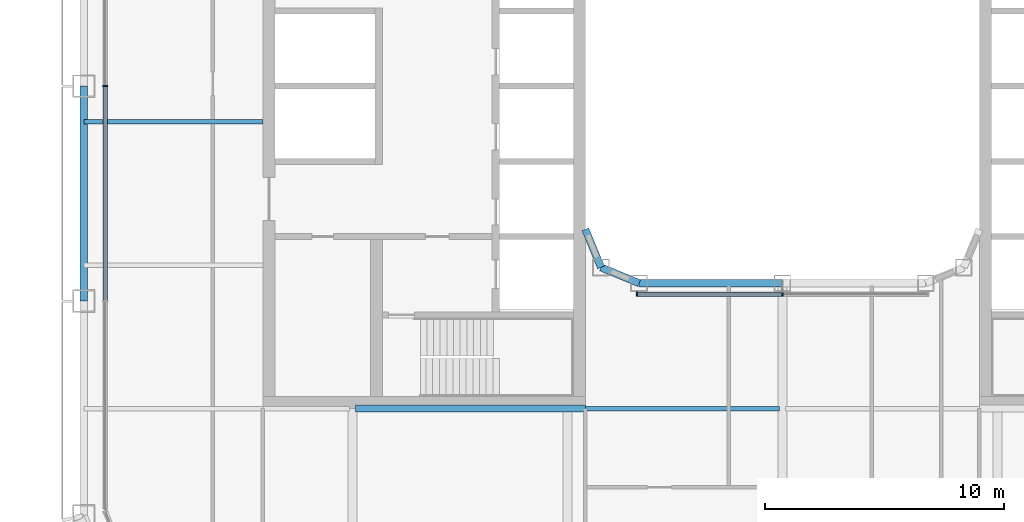
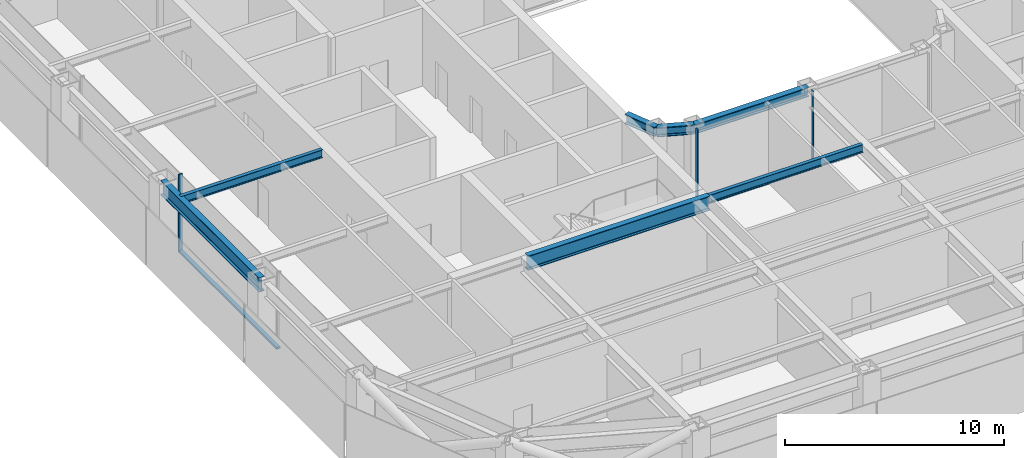
# One storey, part 3 of 23: 7 beams, 5 members, 2 elements without a shape of their own.
"""IFC4 building model written with IfcOpenShell, lengths in metres."""

import ifcopenshell
import ifcopenshell.guid

model = None  # the IFC model being written
_history = None  # IfcOwnerHistory: only IFC2X3 demands one
_inside = {}  # id of a spatial element -> (the spatial element, [elements in it])
_under = {}  # id of a project, library or spatial element -> (it, [spatial elements below it])
_declared = {}  # id of a project -> (the project, [libraries it declares])
_typed = {}  # id of a type object -> (the type object, [elements of that type])
_made_of = {}  # id of a material, layer set ... -> (it, [elements and type objects made of it])


def new_model(schema):
    """Start an empty IFC model of exactly this schema.

    Asked for "IFC4X3", IfcOpenShell would pick the latest addendum, in which some entities
    have other attributes; the version numbers below select the first issue.
    IFC2X3 requires an IfcOwnerHistory on every rooted entity: one is made here for all.
    """
    global model, _history
    if schema == "IFC4X3":
        model = ifcopenshell.file(schema_version=(4, 3, 0, 0))
    else:
        model = ifcopenshell.file(schema=schema)
    _inside.clear()
    _under.clear()
    _declared.clear()
    _typed.clear()
    _made_of.clear()
    _history = None
    if model.schema == "IFC2X3":
        org = make("IfcOrganization", Name="unknown")
        user = make(
            "IfcPersonAndOrganization",
            ThePerson=make("IfcPerson", FamilyName="unknown"),
            TheOrganization=org,
        )
        app = make(
            "IfcApplication",
            ApplicationDeveloper=org,
            Version="unknown",
            ApplicationFullName="unknown",
            ApplicationIdentifier="unknown",
        )
        _history = make(
            "IfcOwnerHistory",
            OwningUser=user,
            OwningApplication=app,
            ChangeAction="ADDED",
            CreationDate=0,
        )
    return model


def make(cls, **values):
    """One entity of the class cls with the attributes given. An attribute that is None is left unset."""
    return model.create_entity(
        cls, **{name: value for name, value in values.items() if value is not None}
    )


def rooted(cls, **values):
    """An entity with a GlobalId (a new one), such as an element, a storey or a relation."""
    return make(cls, GlobalId=ifcopenshell.guid.new(), OwnerHistory=_history, **values)


def si_unit(unit_type, name, prefix=None):
    """IfcSIUnit, for example si_unit("LENGTHUNIT", "METRE", prefix="MILLI")."""
    return make("IfcSIUnit", UnitType=unit_type, Prefix=prefix, Name=name)


def assignment(units):
    """IfcUnitAssignment: the units of a project."""
    return None if units is None else make("IfcUnitAssignment", Units=units)


def point(xyz):
    """IfcCartesianPoint."""
    return None if xyz is None else make("IfcCartesianPoint", Coordinates=xyz)


def direction(xyz):
    """IfcDirection."""
    return None if xyz is None else make("IfcDirection", DirectionRatios=xyz)


def frame(location, z_axis=None, x_axis=None):
    """IfcAxis2Placement3D, a coordinate frame: its origin and axes. An axis left out is left unset."""
    return make(
        "IfcAxis2Placement3D",
        Location=point(location),
        Axis=direction(z_axis),
        RefDirection=direction(x_axis),
    )


def frame_2d(location, x_axis=None):
    """IfcAxis2Placement2D, a coordinate frame in the plane: its origin and x axis."""
    return make(
        "IfcAxis2Placement2D", Location=point(location), RefDirection=direction(x_axis)
    )


def origin():
    """The frame at (0, 0, 0) with its axes left unset."""
    return frame((0.0, 0.0, 0.0))


def origin_2d():
    """The frame at (0, 0) in the plane with its x axis left unset."""
    return frame_2d((0.0, 0.0))


def place(relative_to, where):
    """IfcLocalPlacement: puts the frame where relative to a parent placement (None: the world)."""
    return make(
        "IfcLocalPlacement", PlacementRelTo=relative_to, RelativePlacement=where
    )


def context(
    kind, dimensions, precision=None, world=None, true_north=None, identifier=None
):
    """IfcGeometricRepresentationContext, for example the 3D "Model" context."""
    return make(
        "IfcGeometricRepresentationContext",
        ContextIdentifier=identifier,
        ContextType=kind,
        CoordinateSpaceDimension=dimensions,
        Precision=precision,
        WorldCoordinateSystem=world,
        TrueNorth=true_north,
    )


def subcontext(parent, identifier, kind, view, scale=None):
    """IfcGeometricRepresentationSubContext, for example "Body" below "Model"."""
    return make(
        "IfcGeometricRepresentationSubContext",
        ContextIdentifier=identifier,
        ContextType=kind,
        ParentContext=parent,
        TargetScale=scale,
        TargetView=view,
    )


def project(units=None, contexts=None):
    """IfcProject with its units and contexts."""
    return rooted(
        "IfcProject",
        Name="project",
        RepresentationContexts=contexts,
        UnitsInContext=assignment(units),
    )


def spatial(cls, under=None, at=None, **own):
    """A site, building, storey or space (cls), placed at a placement, below another one or the project."""
    s = rooted(cls, ObjectPlacement=at, **own)
    if under is not None:
        _under.setdefault(under.id(), (under, []))[1].append(s)
    return s


def profile(cls, at=None, kind="AREA", **sizes):
    """A parametric profile (cls). Its sizes go by their IFC names, for example OverallWidth=200.0."""
    return make(cls, ProfileType=kind, Position=at, **sizes)


def rectangle(**sizes):
    """IfcRectangleProfileDef."""
    return profile("IfcRectangleProfileDef", **sizes)


def i_section(**sizes):
    """IfcIShapeProfileDef."""
    return profile("IfcIShapeProfileDef", **sizes)


def extrude(swept, where, along, depth):
    """IfcExtrudedAreaSolid: the profile swept, set in the frame where, extruded along a direction by depth."""
    return make(
        "IfcExtrudedAreaSolid",
        SweptArea=swept,
        Position=where,
        ExtrudedDirection=direction(along),
        Depth=depth,
    )


def shape(context_of_items, identifier, shape_type, items):
    """IfcShapeRepresentation: the items that make up one representation, for example the "Body"."""
    return make(
        "IfcShapeRepresentation",
        ContextOfItems=context_of_items,
        RepresentationIdentifier=identifier,
        RepresentationType=shape_type,
        Items=items,
    )


def material(Name=None, Category=None):
    """IfcMaterial."""
    return make("IfcMaterial", Name=Name, Category=Category)


def layer(
    of_material, thickness, ventilated=None, Name=None, Category=None, Priority=None
):
    """IfcMaterialLayer: one layer of a wall or slab, of a material (None: an air gap)."""
    return make(
        "IfcMaterialLayer",
        Material=of_material,
        LayerThickness=thickness,
        IsVentilated=ventilated,
        Name=Name,
        Category=Category,
        Priority=Priority,
    )


def layer_set(layers, Name=None):
    """IfcMaterialLayerSet."""
    return make("IfcMaterialLayerSet", MaterialLayers=layers, LayerSetName=Name)


def material_profile(
    of_material, cross_section, Name=None, Category=None, Priority=None
):
    """IfcMaterialProfile: a cross section and its material."""
    return make(
        "IfcMaterialProfile",
        Name=Name,
        Material=of_material,
        Profile=cross_section,
        Priority=Priority,
        Category=Category,
    )


def profile_set(profiles, Name=None, composite=None):
    """IfcMaterialProfileSet."""
    return make(
        "IfcMaterialProfileSet",
        Name=Name,
        MaterialProfiles=profiles,
        CompositeProfile=composite,
    )


def made_of(thing, what):
    """Note that an element or type object is made of a material, layer set ...; save() writes the relation."""
    if what is not None:
        _made_of.setdefault(what.id(), (what, []))[1].append(thing)
    return thing


def type_object(cls, material=None, **own):
    """A type object (cls), such as IfcWallType, which elements share."""
    return made_of(rooted(cls, **own), material)


def element(
    cls,
    number,
    at=None,
    inside=None,
    cuts=None,
    type_object=None,
    material=None,
    context=None,
    identifier="Body",
    shape_type=None,
    held_by="IfcProductDefinitionShape",
    body=None,
    shapes=None,
    **own,
):
    """One element of the class cls, such as IfcWall. Its Tag is "e" and its number.

    at: its placement. inside: the storey or other place that contains it. cuts: it is an
    opening in that element (IfcRelVoidsElement). A single representation is given by context,
    identifier, shape_type and body (its items); several are given by shapes. held_by: the class
    of the entity that holds the representations. save() writes the other relations.
    """
    e = rooted(cls, Tag="e%d" % number, ObjectPlacement=at, **own)
    if body is not None:
        shapes = [shape(context, identifier, shape_type, body)]
    if shapes is not None:
        e.Representation = make(held_by, Representations=shapes)
    if inside is not None:
        _inside.setdefault(inside.id(), (inside, []))[1].append(e)
    if cuts is not None:
        rooted(
            "IfcRelVoidsElement", RelatingBuildingElement=cuts, RelatedOpeningElement=e
        )
    if type_object is not None:
        _typed.setdefault(type_object.id(), (type_object, []))[1].append(e)
    return made_of(e, material)


def aggregate(whole, parts):
    """IfcRelAggregates: a whole, such as a stair, and the parts it consists of."""
    return rooted("IfcRelAggregates", RelatingObject=whole, RelatedObjects=parts)


def save(model, path):
    """Write the relations noted so far, then the file.

    IfcRelAggregates (storeys below a building ...), IfcRelContainedInSpatialStructure (elements
    in a storey), IfcRelDefinesByType, IfcRelAssociatesMaterial and IfcRelDeclares: one each for
    every whole, place, type object, material and project.
    """
    for whole, parts in _under.values():
        aggregate(whole, parts)
    for where, things in _inside.values():
        rooted(
            "IfcRelContainedInSpatialStructure",
            RelatedElements=things,
            RelatingStructure=where,
        )
    for kind, things in _typed.values():
        rooted("IfcRelDefinesByType", RelatedObjects=things, RelatingType=kind)
    for what, things in _made_of.values():
        rooted("IfcRelAssociatesMaterial", RelatedObjects=things, RelatingMaterial=what)
    for by, libraries in _declared.values():
        rooted("IfcRelDeclares", RelatingContext=by, RelatedDefinitions=libraries)
    model.write(path)


model = new_model("IFC4")

# Units and contexts
model_context = context("Model", 3, precision=1e-05, world=origin(), true_north=direction((0.0, 1.0)))
body_context = subcontext(model_context, "Body", "Model", "MODEL_VIEW")
ifc_project = project(units=[si_unit("LENGTHUNIT", "METRE"), si_unit("AREAUNIT", "SQUARE_METRE"), si_unit("VOLUMEUNIT", "CUBIC_METRE"), si_unit("PLANEANGLEUNIT", "RADIAN"), si_unit("MASSUNIT", "GRAM", prefix="KILO")], contexts=[model_context])

# Site, building, storey
site_placement = place(None, origin())
site = spatial("IfcSite", under=ifc_project, at=site_placement, CompositionType="ELEMENT")
building_placement = place(site_placement, origin())
building = spatial("IfcBuilding", under=site, at=building_placement, Name="Siwar Civic Tower", CompositionType="ELEMENT")
storey_placement = place(building_placement, frame((0.0, 0.0, 136.199951171875)))
storey = spatial("IfcBuildingStorey", under=building, at=storey_placement, Name="L29", CompositionType="ELEMENT", Elevation=136.199951171875)

# Curtain wall, member
ifc_material_1 = material(Name="Aluminium and glass", Category="aluminium")
ifc_layer_1 = layer(ifc_material_1, 0.199951171875)
ifc_layer_set_1 = layer_set([ifc_layer_1], Name="Aluminium and glass")
curtain_wall_type_1 = type_object("IfcCurtainWallType", Name="ENV-CW-B", PredefinedType="NOTDEFINED", material=ifc_layer_set_1)
curtain_wall_1_placement = place(storey_placement, origin())
curtain_wall_1 = element("IfcCurtainWall", 1, at=curtain_wall_1_placement, inside=storey, type_object=curtain_wall_type_1, Name="Curtain wall B W", PredefinedType="NOTDEFINED")
ifc_material_2 = material(Name="Aluminium 6063-T6", Category="aluminium")
ifc_material_profile_1 = material_profile(ifc_material_2, rectangle(XDim=0.199951171875, YDim=0.06494140625, at=origin_2d()), Name="AL 200x65")
ifc_profile_set_1 = profile_set([ifc_material_profile_1], Name="Aluminium 6063-T6")
member_type_1 = type_object("IfcMemberType", Name="ENV-MULLION-B", PredefinedType="MULLION", material=ifc_profile_set_1)
member_1_placement = place(storey_placement, frame((-28.35009765625, 0.0, 0.0), z_axis=(0.0, 0.0, 1.0), x_axis=(1.0, 0.0, 0.0)))
member_1 = element("IfcMember", 2, at=member_1_placement, type_object=member_type_1, Name="Mullion B W 3", PredefinedType="MULLION", context=body_context, shape_type="SweptSolid", body=[
    extrude(rectangle(XDim=0.199951171875, YDim=0.06494140625, at=origin_2d()), origin(), (0.0, 0.0, 1.0), 4.35009765625),
])

# Curtain wall, members
ifc_material_3 = material(Name="Aluminium and glass", Category="aluminium")
ifc_layer_2 = layer(ifc_material_3, 0.179931640625)
ifc_layer_set_2 = layer_set([ifc_layer_2], Name="Aluminium and glass")
curtain_wall_type_2 = type_object("IfcCurtainWallType", Name="ENV-CW-W", PredefinedType="NOTDEFINED", material=ifc_layer_set_2)
curtain_wall_2_placement = place(storey_placement, origin())
curtain_wall_2 = element("IfcCurtainWall", 3, at=curtain_wall_2_placement, inside=storey, type_object=curtain_wall_type_2, Name="Curtain wall W WS", PredefinedType="NOTDEFINED")
ifc_material_4 = material(Name="Aluminium 6063-T6", Category="aluminium")
ifc_material_profile_2 = material_profile(ifc_material_4, rectangle(XDim=0.179931640625, YDim=0.06005859375, at=origin_2d()), Name="AL 180x60")
ifc_profile_set_2 = profile_set([ifc_material_profile_2], Name="Aluminium 6063-T6")
member_type_2 = type_object("IfcMemberType", Name="ENV-MULLION-W", PredefinedType="MULLION", material=ifc_profile_set_2)
member_2_placement = place(storey_placement, frame((-6.091552734375, -8.7099609375, 0.0), z_axis=(0.0, 0.0, 1.0), x_axis=(0.0, 1.0, 0.0)))
member_2 = element("IfcMember", 4, at=member_2_placement, type_object=member_type_2, Name="Mullion W WS 1", PredefinedType="MULLION", context=body_context, shape_type="SweptSolid", body=[
    extrude(rectangle(XDim=0.179931640625, YDim=0.06005859375, at=origin_2d()), origin(), (0.0, 0.0, 1.0), 4.35009765625),
])
member_3_placement = place(storey_placement, frame((0.0, -8.7099609375, 0.0), z_axis=(0.0, 0.0, 1.0), x_axis=(0.0, 1.0, 0.0)))
member_3 = element("IfcMember", 5, at=member_3_placement, type_object=member_type_2, Name="Mullion W WS 2", PredefinedType="MULLION", context=body_context, shape_type="SweptSolid", body=[
    extrude(rectangle(XDim=0.179931640625, YDim=0.06005859375, at=origin_2d()), origin(), (0.0, 0.0, 1.0), 4.35009765625),
])

# Member
ifc_material_5 = material(Name="Aluminium 6063-T6", Category="aluminium")
ifc_material_profile_3 = material_profile(ifc_material_5, rectangle(XDim=0.199951171875, YDim=0.110107421875, at=origin_2d()), Name="AL 200x110")
ifc_profile_set_3 = profile_set([ifc_material_profile_3], Name="Aluminium 6063-T6")
member_type_3 = type_object("IfcMemberType", Name="ENV-TRANSOM-B", PredefinedType="USERDEFINED", material=ifc_profile_set_3)
member_4_placement = place(storey_placement, frame((-28.35009765625, -0.032470703125, 0.054931640625), z_axis=(0.0, -1.0, 0.0), x_axis=(1.0, 0.0, 0.0)))
member_4 = element("IfcMember", 6, at=member_4_placement, type_object=member_type_3, Name="Transom B W 3", ObjectType="TRANSOM", PredefinedType="USERDEFINED", context=body_context, shape_type="SweptSolid", body=[
    extrude(rectangle(XDim=0.199951171875, YDim=0.110107421875, at=origin_2d()), origin(), (0.0, 0.0, 1.0), 8.93505859375),
])

aggregate(curtain_wall_1, [member_1, member_4])

ifc_material_6 = material(Name="Aluminium 6063-T6", Category="aluminium")
ifc_material_profile_4 = material_profile(ifc_material_6, rectangle(XDim=0.179931640625, YDim=0.10009765625, at=origin_2d()), Name="AL 180x100")
ifc_profile_set_4 = profile_set([ifc_material_profile_4], Name="Aluminium 6063-T6")
member_type_4 = type_object("IfcMemberType", Name="ENV-TRANSOM-W", PredefinedType="USERDEFINED", material=ifc_profile_set_4)
member_5_placement = place(storey_placement, frame((-6.0615234375, -8.7099609375, 0.050048828125), z_axis=(1.0, 0.0, 0.0), x_axis=(0.0, 1.0, 0.0)))
member_5 = element("IfcMember", 7, at=member_5_placement, type_object=member_type_4, Name="Transom W WS 1", ObjectType="TRANSOM", PredefinedType="USERDEFINED", context=body_context, shape_type="SweptSolid", body=[
    extrude(rectangle(XDim=0.179931640625, YDim=0.10009765625, at=origin_2d()), origin(), (0.0, 0.0, 1.0), 6.031494140625),
])

aggregate(curtain_wall_2, [member_2, member_3, member_5])

# Beams
ifc_material_7 = material(Name="Steel S355", Category="steel")
ifc_material_profile_5 = material_profile(ifc_material_7, i_section(OverallWidth=0.18994140625, OverallDepth=0.449951171875, WebThickness=0.009521484375, FlangeThickness=0.0146484375, FilletRadius=0.02099609375, at=origin_2d()), Name="IPE450")
ifc_profile_set_5 = profile_set([ifc_material_profile_5], Name="Steel S355")
beam_type_1 = type_object("IfcBeamType", Name="STR-FB-IPE450", PredefinedType="JOIST", material=ifc_profile_set_5)
beam_1_placement = place(storey_placement, frame((-8.25, -13.5, 4.125), z_axis=(1.0, 0.0, 0.0), x_axis=(0.0, 1.0, 0.0)))
element("IfcBeam", 8, at=beam_1_placement, inside=storey, type_object=beam_type_1, Name="L29/bm/F016", PredefinedType="JOIST", context=body_context, shape_type="SweptSolid", body=[
    extrude(i_section(OverallWidth=0.18994140625, OverallDepth=0.449951171875, WebThickness=0.009521484375, FlangeThickness=0.0146484375, FilletRadius=0.02099609375, at=origin_2d()), origin(), (0.0, 0.0, 1.0), 8.1201171875),
])
beam_2_placement = place(storey_placement, frame((-29.25, -1.5, 4.125), z_axis=(1.0, 0.0, 0.0), x_axis=(0.0, 1.0, 0.0)))
element("IfcBeam", 9, at=beam_2_placement, inside=storey, type_object=beam_type_1, Name="L29/bm/F023", PredefinedType="JOIST", context=body_context, shape_type="SweptSolid", body=[
    extrude(i_section(OverallWidth=0.18994140625, OverallDepth=0.449951171875, WebThickness=0.009521484375, FlangeThickness=0.0146484375, FilletRadius=0.02099609375, at=origin_2d()), origin(), (0.0, 0.0, 1.0), 7.5),
])
ifc_material_8 = material(Name="Steel S355", Category="steel")
ifc_material_profile_6 = material_profile(ifc_material_8, i_section(OverallWidth=0.300048828125, OverallDepth=0.800048828125, WebThickness=0.017578125, FlangeThickness=0.032958984375, FilletRadius=0.030029296875, at=origin_2d()), Name="HEB800")
ifc_profile_set_6 = profile_set([ifc_material_profile_6], Name="Steel S355")
beam_type_2 = type_object("IfcBeamType", Name="STR-PG-HEB800", PredefinedType="BEAM", material=ifc_profile_set_6)
beam_3_placement = place(storey_placement, frame((-17.8701171875, -13.5, 3.949951171875), z_axis=(1.0, 0.0, 0.0), x_axis=(0.0, 1.0, 0.0)))
element("IfcBeam", 10, at=beam_3_placement, inside=storey, type_object=beam_type_2, Name="L29/bm/F015", PredefinedType="BEAM", context=body_context, shape_type="SweptSolid", body=[
    extrude(i_section(OverallWidth=0.300048828125, OverallDepth=0.800048828125, WebThickness=0.017578125, FlangeThickness=0.032958984375, FilletRadius=0.030029296875, at=origin_2d()), origin(), (0.0, 0.0, 1.0), 9.6201171875),
])
ifc_material_9 = material(Name="Steel S355", Category="steel")
ifc_material_profile_7 = material_profile(ifc_material_9, i_section(OverallWidth=0.305908203125, OverallDepth=0.52392578125, WebThickness=0.02099609375, FlangeThickness=0.0400390625, FilletRadius=0.027099609375, at=origin_2d()), Name="HEM500")
ifc_profile_set_7 = profile_set([ifc_material_profile_7], Name="Steel S355")
beam_type_3 = type_object("IfcBeamType", Name="STR-RB-HEM500", PredefinedType="BEAM", material=ifc_profile_set_7)
beam_4_placement = place(storey_placement, frame((-7.591064453125, -7.591064453125, 4.088134765625), z_axis=(0.923901072997, -0.382631424892, 0.0), x_axis=(0.382631424892, 0.923901072997, 0.0)))
element("IfcBeam", 11, at=beam_4_placement, inside=storey, type_object=beam_type_3, Name="L29/bm/RS0", PredefinedType="BEAM", context=body_context, shape_type="SweptSolid", body=[
    extrude(i_section(OverallWidth=0.305908203125, OverallDepth=0.52392578125, WebThickness=0.02099609375, FlangeThickness=0.0400390625, FilletRadius=0.027099609375, at=origin_2d()), origin(), (0.0, 0.0, 1.0), 1.72216796875),
])
beam_5_placement = place(storey_placement, frame((-6.0, -8.25, 4.088134765625), z_axis=(1.0, 0.0, 0.0), x_axis=(0.0, 1.0, 0.0)))
element("IfcBeam", 12, at=beam_5_placement, inside=storey, type_object=beam_type_3, Name="L29/bm/RS1", PredefinedType="BEAM", context=body_context, shape_type="SweptSolid", body=[
    extrude(i_section(OverallWidth=0.305908203125, OverallDepth=0.52392578125, WebThickness=0.02099609375, FlangeThickness=0.0400390625, FilletRadius=0.027099609375, at=origin_2d()), origin(), (0.0, 0.0, 1.0), 6.0),
])
beam_6_placement = place(storey_placement, frame((-7.591064453125, -7.591064453125, 4.088134765625), z_axis=(-0.382631424892, 0.923901072997, 0.0), x_axis=(-0.923901072997, -0.382631424892, 0.0)))
element("IfcBeam", 13, at=beam_6_placement, inside=storey, type_object=beam_type_3, Name="L29/bm/RSEW", PredefinedType="BEAM", context=body_context, shape_type="SweptSolid", body=[
    extrude(i_section(OverallWidth=0.305908203125, OverallDepth=0.52392578125, WebThickness=0.02099609375, FlangeThickness=0.0400390625, FilletRadius=0.027099609375, at=origin_2d()), origin(), (0.0, 0.0, 1.0), 1.72216796875),
])
ifc_material_10 = material(Name="Steel S355", Category="steel")
ifc_material_profile_8 = material_profile(ifc_material_10, i_section(OverallWidth=0.300048828125, OverallDepth=0.800048828125, WebThickness=0.017578125, FlangeThickness=0.032958984375, FilletRadius=0.030029296875, at=origin_2d()), Name="HEB800")
ifc_profile_set_8 = profile_set([ifc_material_profile_8], Name="Steel S355")
beam_type_4 = type_object("IfcBeamType", Name="STR-SB-HEB800", PredefinedType="BEAM", material=ifc_profile_set_8)
beam_7_placement = place(storey_placement, frame((-29.25, 0.0, 3.949951171875), z_axis=(0.0, -1.0, 0.0), x_axis=(1.0, 0.0, 0.0)))
element("IfcBeam", 14, at=beam_7_placement, inside=storey, type_object=beam_type_4, Name="L29/bm/SW-2", PredefinedType="BEAM", context=body_context, shape_type="SweptSolid", body=[
    extrude(i_section(OverallWidth=0.300048828125, OverallDepth=0.800048828125, WebThickness=0.017578125, FlangeThickness=0.032958984375, FilletRadius=0.030029296875, at=origin_2d()), origin(), (0.0, 0.0, 1.0), 9.0),
])

save(model, "model.ifc")
